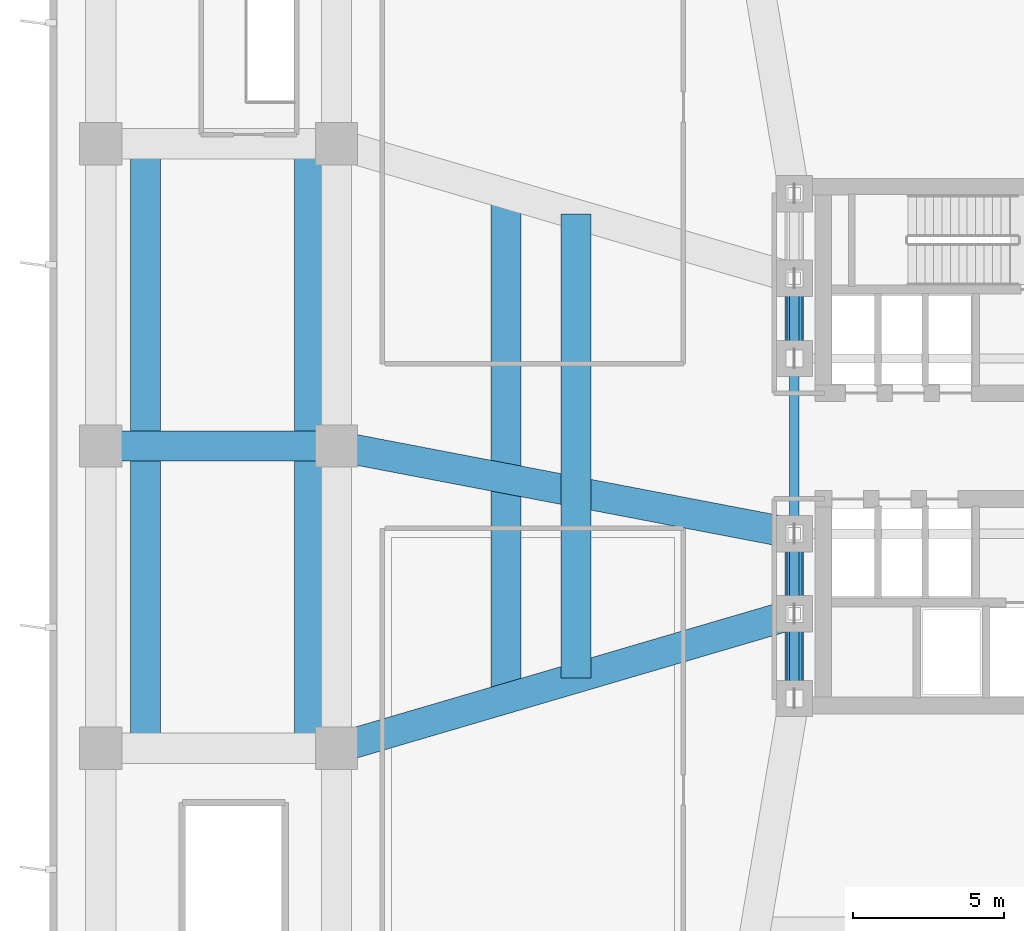
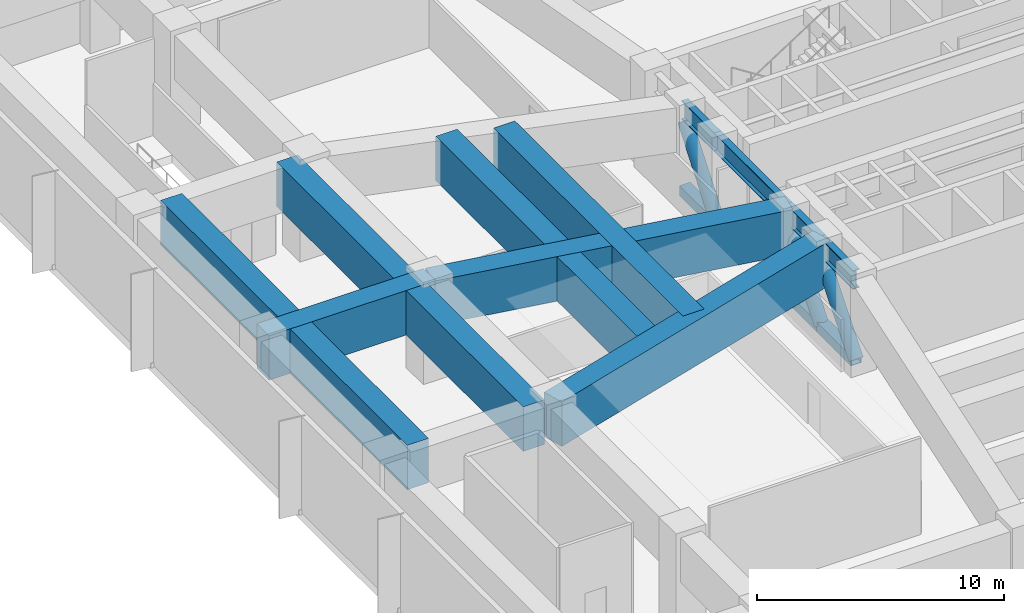
# One storey, part 3 of 14: 11 beams, 6 members.
"""IFC4 building model written with IfcOpenShell, lengths in metres."""

from ifc_helpers import new_model, si_unit, direction, frame, origin, origin_2d, place, context, subcontext, project, spatial, rectangle, hollow_rectangle, hollow_circle, i_section, extrude, material, material_profile, profile_set, type_object, element, save


model = new_model("IFC4")

# Units and contexts
model_context = context("Model", 3, precision=1e-05, world=origin(), true_north=direction((0.0, 1.0)))
body_context = subcontext(model_context, "Body", "Model", "MODEL_VIEW")
ifc_project = project(units=[si_unit("LENGTHUNIT", "METRE"), si_unit("AREAUNIT", "SQUARE_METRE"), si_unit("VOLUMEUNIT", "CUBIC_METRE"), si_unit("PLANEANGLEUNIT", "RADIAN"), si_unit("MASSUNIT", "GRAM", prefix="KILO")], contexts=[model_context])

# Site, building, storey
site_placement = place(None, origin())
site = spatial("IfcSite", under=ifc_project, at=site_placement, CompositionType="ELEMENT")
building_placement = place(site_placement, origin())
building = spatial("IfcBuilding", under=site, at=building_placement, Name="Solmarez Civic Tower", CompositionType="ELEMENT")
storey_placement = place(building_placement, frame((0.0, 0.0, 19.43994140625)))
storey = spatial("IfcBuildingStorey", under=building, at=storey_placement, Name="L04", CompositionType="ELEMENT", Elevation=19.43994140625)

# Beams
ifc_material_1 = material(Name="Steel S355", Category="steel")
ifc_material_profile_1 = material_profile(ifc_material_1, i_section(OverallWidth=0.306884765625, OverallDepth=0.927001953125, WebThickness=0.019287109375, FlangeThickness=0.031982421875, at=origin_2d()), Name="W36X194")
ifc_profile_set_1 = profile_set([ifc_material_profile_1], Name="Steel S355")
beam_type_1 = type_object("IfcBeamType", Name="BM-PR-W36X194", PredefinedType="BEAM", material=ifc_profile_set_1)
beam_1_placement = place(storey_placement, frame((-8.85009765625, -8.35009765625, 4.316162109375), z_axis=(0.0, 1.0, 0.0), x_axis=(-1.0, 0.0, 0.0)))
element("IfcBeam", 1, at=beam_1_placement, inside=storey, type_object=beam_type_1, Name="L04 Primary Floor Beam BM-L04-HC12-HC1", PredefinedType="BEAM", context=body_context, shape_type="SweptSolid", body=[
    extrude(i_section(OverallWidth=0.306884765625, OverallDepth=0.927001953125, WebThickness=0.019287109375, FlangeThickness=0.031982421875, at=origin_2d()), origin(), (0.0, 0.0, 1.0), 2.800048828125),
])
beam_2_placement = place(storey_placement, frame((-8.85009765625, -5.550048828125, 4.316162109375), z_axis=(0.0, 1.0, 0.0), x_axis=(-1.0, 0.0, 0.0)))
element("IfcBeam", 2, at=beam_2_placement, inside=storey, type_object=beam_type_1, Name="L04 Primary Floor Beam BM-L04-HC1-HC2", PredefinedType="BEAM", context=body_context, shape_type="SweptSolid", body=[
    extrude(i_section(OverallWidth=0.306884765625, OverallDepth=0.927001953125, WebThickness=0.019287109375, FlangeThickness=0.031982421875, at=origin_2d()), origin(), (0.0, 0.0, 1.0), 2.650146484375),
])
beam_3_placement = place(storey_placement, frame((-8.85009765625, -2.89990234375, 4.316162109375), z_axis=(0.0, 1.0, 0.0), x_axis=(-1.0, 0.0, 0.0)))
element("IfcBeam", 3, at=beam_3_placement, inside=storey, type_object=beam_type_1, Name="L04 Primary Floor Beam BM-L04-HC2-HC3", PredefinedType="BEAM", context=body_context, shape_type="SweptSolid", body=[
    extrude(i_section(OverallWidth=0.306884765625, OverallDepth=0.927001953125, WebThickness=0.019287109375, FlangeThickness=0.031982421875, at=origin_2d()), origin(), (0.0, 0.0, 1.0), 5.7998046875),
])
beam_4_placement = place(storey_placement, frame((-8.85009765625, 2.89990234375, 4.316162109375), z_axis=(0.0, 1.0, 0.0), x_axis=(-1.0, 0.0, 0.0)))
element("IfcBeam", 4, at=beam_4_placement, inside=storey, type_object=beam_type_1, Name="L04 Primary Floor Beam BM-L04-HC3-HC4", PredefinedType="BEAM", context=body_context, shape_type="SweptSolid", body=[
    extrude(i_section(OverallWidth=0.306884765625, OverallDepth=0.927001953125, WebThickness=0.019287109375, FlangeThickness=0.031982421875, at=origin_2d()), origin(), (0.0, 0.0, 1.0), 2.650146484375),
])
ifc_material_2 = material(Name="Concrete C60/75", Category="concrete")
ifc_material_profile_2 = material_profile(ifc_material_2, rectangle(XDim=1.0, YDim=2.199951171875, at=origin_2d()), Name="RC1000X2200")
ifc_profile_set_2 = profile_set([ifc_material_profile_2], Name="Concrete C60/75")
beam_type_2 = type_object("IfcBeamType", Name="BM-TG-RC1000X2200", PredefinedType="USERDEFINED", material=ifc_profile_set_2)
beam_5_placement = place(storey_placement, frame((-31.800048828125, 0.0, 3.68017578125), z_axis=(1.0, 0.0, 0.0), x_axis=(0.0, 1.0, 0.0)))
element("IfcBeam", 5, at=beam_5_placement, inside=storey, type_object=beam_type_2, Name="L04 Transfer Girder BM-L04-PC14-PC20", ObjectType="TRANSFER_GIRDER", PredefinedType="USERDEFINED", context=body_context, shape_type="SweptSolid", body=[
    extrude(rectangle(XDim=1.0, YDim=2.199951171875, at=origin_2d()), origin(), (0.0, 0.0, 1.0), 7.800048828125),
])
beam_6_placement = place(storey_placement, frame((-24.0, -10.0, 3.68017578125), z_axis=(0.959466630969, 0.281822256143, 0.0), x_axis=(-0.281822256143, 0.959466630969, 0.0)))
element("IfcBeam", 6, at=beam_6_placement, inside=storey, type_object=beam_type_2, Name="L04 Transfer Girder BM-L04-PC19-HC1", ObjectType="TRANSFER_GIRDER", PredefinedType="USERDEFINED", context=body_context, shape_type="SweptSolid", body=[
    extrude(rectangle(XDim=1.0, YDim=2.199951171875, at=origin_2d()), origin(), (0.0, 0.0, 1.0), 15.7900390625),
])
beam_7_placement = place(storey_placement, frame((-24.0, 0.0, 3.68017578125), z_axis=(0.982168874333, -0.188000803966, 0.0), x_axis=(0.188000803966, 0.982168874333, 0.0)))
element("IfcBeam", 7, at=beam_7_placement, inside=storey, type_object=beam_type_2, Name="L04 Transfer Girder BM-L04-PC20-HC2", ObjectType="TRANSFER_GIRDER", PredefinedType="USERDEFINED", context=body_context, shape_type="SweptSolid", body=[
    extrude(rectangle(XDim=1.0, YDim=2.199951171875, at=origin_2d()), origin(), (0.0, 0.0, 1.0), 15.425048828125),
])
beam_8_placement = place(storey_placement, frame((-18.39111328125, -8.35205078125, 3.68017578125), z_axis=(0.0, 1.0, 0.0), x_axis=(-1.0, 0.0, 0.0)))
element("IfcBeam", 8, at=beam_8_placement, inside=storey, type_object=beam_type_2, Name="L04 Transfer Girder TG-L04-WA11", ObjectType="TRANSFER_GIRDER", PredefinedType="USERDEFINED", context=body_context, shape_type="SweptSolid", body=[
    extrude(rectangle(XDim=1.0, YDim=2.199951171875, at=origin_2d()), origin(), (0.0, 0.0, 1.0), 16.7041015625),
])
beam_9_placement = place(storey_placement, frame((-16.075927734375, -7.672119140625, 3.68017578125), z_axis=(0.0, 1.0, 0.0), x_axis=(-1.0, 0.0, 0.0)))
element("IfcBeam", 9, at=beam_9_placement, inside=storey, type_object=beam_type_2, Name="L04 Transfer Girder TG-L04-WA12", ObjectType="TRANSFER_GIRDER", PredefinedType="USERDEFINED", context=body_context, shape_type="SweptSolid", body=[
    extrude(rectangle(XDim=1.0, YDim=2.199951171875, at=origin_2d()), origin(), (0.0, 0.0, 1.0), 15.34423828125),
])
for number, where, z_axis, x_axis, name in (
    (10, (-30.318115234375, -10.0, 3.68017578125), (0.0, 1.0, 0.0), (-1.0, 0.0, 0.0), "L04 Transfer Girder TG-L04-WA21"),
    (11, (-24.887939453125, -10.0, 3.68017578125), (0.0, 1.0, 0.0), (-1.0, 0.0, 0.0), "L04 Transfer Girder TG-L04-WA22"),
):
    element("IfcBeam", number, at=place(storey_placement, frame(where, z_axis=z_axis, x_axis=x_axis)), inside=storey, type_object=beam_type_2, Name=name, ObjectType="TRANSFER_GIRDER", PredefinedType="USERDEFINED", context=body_context, shape_type="SweptSolid", body=[
        extrude(rectangle(XDim=1.0, YDim=2.199951171875, at=origin_2d()), origin(), (0.0, 0.0, 1.0), 20.0),
    ])

# Members
ifc_material_profile_3 = material_profile(ifc_material_1, hollow_circle(Radius=0.304931640625, WallThickness=0.02490234375, at=origin_2d()), Name="CHS610X25")
ifc_profile_set_3 = profile_set([ifc_material_profile_3], Name="Steel S355")
member_type_1 = type_object("IfcMemberType", Name="MEM-BRC-CHS610", PredefinedType="BRACE", material=ifc_profile_set_3)
member_1_placement = place(storey_placement, frame((-8.85009765625, -8.35009765625, 0.35009765625), z_axis=(0.0, 0.637960380463, 0.770069187125), x_axis=(-1.0, 0.0, 0.0)))
element("IfcMember", 12, at=member_1_placement, inside=storey, type_object=member_type_1, Name="L04 Belt Truss Diagonal Brace 1", PredefinedType="BRACE", context=body_context, shape_type="SweptSolid", body=[
    extrude(hollow_circle(Radius=0.304931640625, WallThickness=0.02490234375, at=origin_2d()), origin(), (0.0, 0.0, 1.0), 4.38916015625),
])
for number, where, z_axis, x_axis, name in (
    (13, (-8.85009765625, -5.550048828125, 0.35009765625), (0.0, 0.617032967918, 0.786937301507), (-1.0, 0.0, 0.0), "L04 Belt Truss Diagonal Brace 2"),
    (14, (-8.85009765625, 2.89990234375, 0.35009765625), (0.0, 0.617032967918, 0.786937301507), (-1.0, 0.0, 0.0), "L04 Belt Truss Diagonal Brace 3"),
):
    element("IfcMember", number, at=place(storey_placement, frame(where, z_axis=z_axis, x_axis=x_axis)), inside=storey, type_object=member_type_1, Name=name, PredefinedType="BRACE", context=body_context, shape_type="SweptSolid", body=[
        extrude(hollow_circle(Radius=0.304931640625, WallThickness=0.02490234375, at=origin_2d()), origin(), (0.0, 0.0, 1.0), 4.294921875),
    ])
ifc_material_profile_4 = material_profile(ifc_material_1, hollow_rectangle(XDim=0.5, YDim=0.5, WallThickness=0.02490234375, at=origin_2d()), Name="HSS500X500X25")
ifc_profile_set_4 = profile_set([ifc_material_profile_4], Name="Steel S355")
member_type_2 = type_object("IfcMemberType", Name="MEM-CHD-HSS500", PredefinedType="CHORD", material=ifc_profile_set_4)
member_2_placement = place(storey_placement, frame((-8.85009765625, -8.35009765625, 0.35009765625), z_axis=(0.0, 1.0, 0.0), x_axis=(-1.0, 0.0, 0.0)))
element("IfcMember", 15, at=member_2_placement, inside=storey, type_object=member_type_2, Name="L04 Belt Truss Bottom Chord 1", PredefinedType="CHORD", context=body_context, shape_type="SweptSolid", body=[
    extrude(hollow_rectangle(XDim=0.5, YDim=0.5, WallThickness=0.02490234375, at=origin_2d()), origin(), (0.0, 0.0, 1.0), 2.800048828125),
])
for number, where, z_axis, x_axis, name in (
    (16, (-8.85009765625, -5.550048828125, 0.35009765625), (0.0, 1.0, 0.0), (-1.0, 0.0, 0.0), "L04 Belt Truss Bottom Chord 2"),
    (17, (-8.85009765625, 2.89990234375, 0.35009765625), (0.0, 1.0, 0.0), (-1.0, 0.0, 0.0), "L04 Belt Truss Bottom Chord 3"),
):
    element("IfcMember", number, at=place(storey_placement, frame(where, z_axis=z_axis, x_axis=x_axis)), inside=storey, type_object=member_type_2, Name=name, PredefinedType="CHORD", context=body_context, shape_type="SweptSolid", body=[
        extrude(hollow_rectangle(XDim=0.5, YDim=0.5, WallThickness=0.02490234375, at=origin_2d()), origin(), (0.0, 0.0, 1.0), 2.650146484375),
    ])

save(model, "model.ifc")
